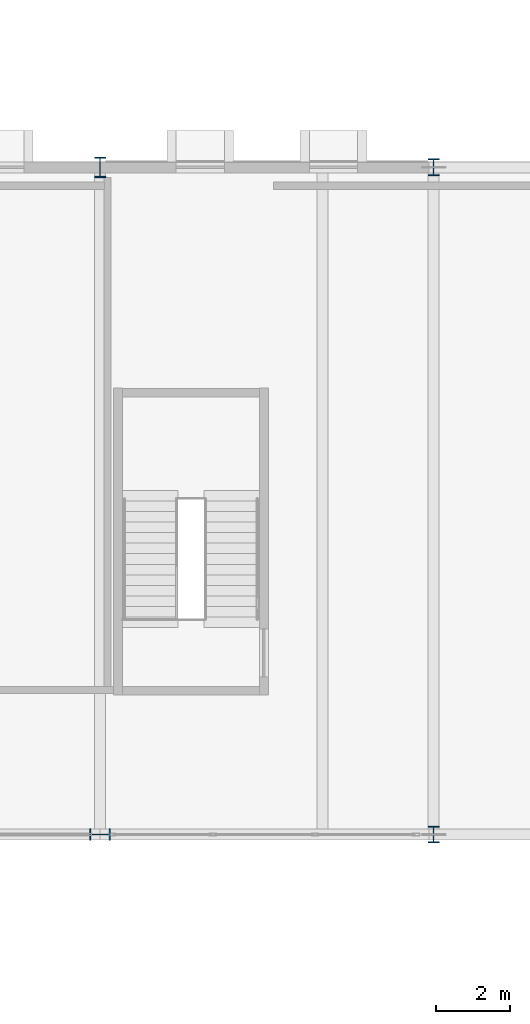
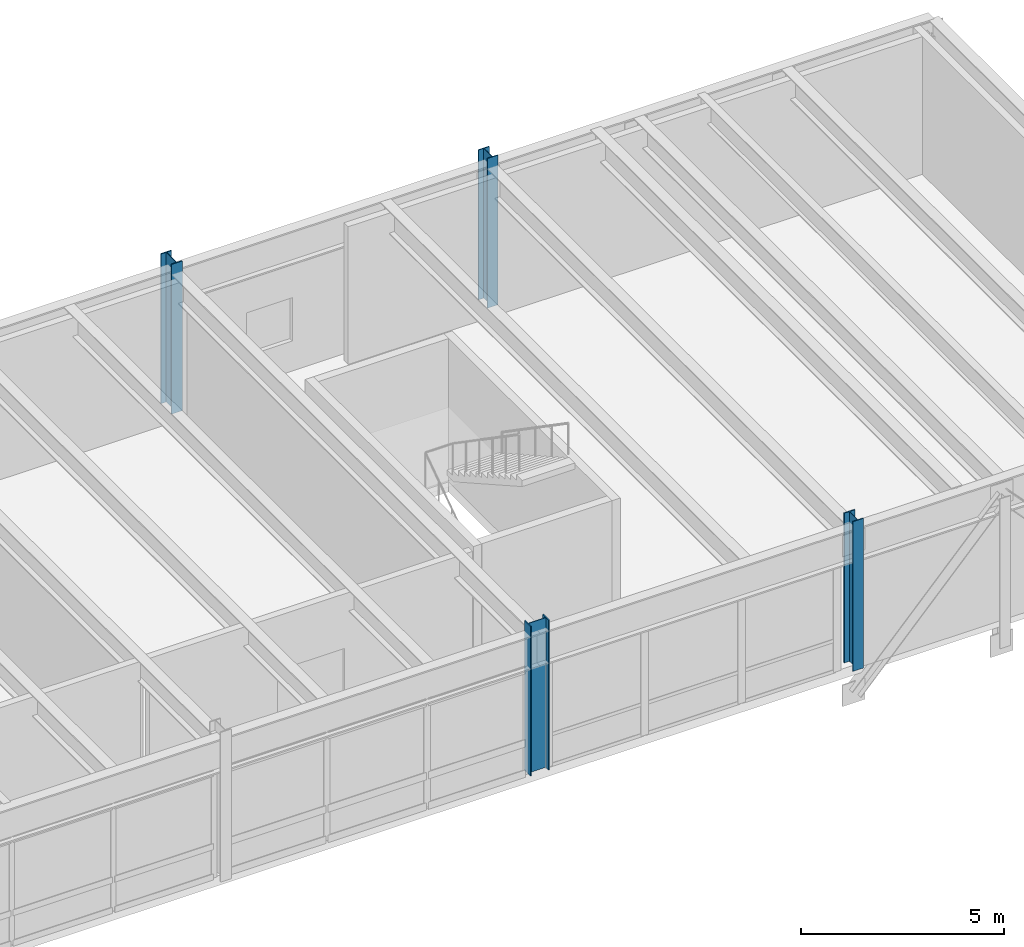
# One storey, part 9 of 142: 4 columns.
"""IFC4 building model written with IfcOpenShell, lengths in metres."""

from ifc_helpers import new_model, si_unit, direction, frame, origin, origin_2d, place, context, subcontext, project, spatial, i_section, extrude, material, material_profile, profile_set, type_object, element, save


model = new_model("IFC4")

# Units and contexts
model_context = context("Model", 3, precision=1e-05, world=origin(), true_north=direction((0.0, 1.0)))
body_context = subcontext(model_context, "Body", "Model", "MODEL_VIEW")
ifc_project = project(units=[si_unit("LENGTHUNIT", "METRE"), si_unit("AREAUNIT", "SQUARE_METRE"), si_unit("VOLUMEUNIT", "CUBIC_METRE"), si_unit("PLANEANGLEUNIT", "RADIAN"), si_unit("MASSUNIT", "GRAM", prefix="KILO")], contexts=[model_context])

# Site, building, storey
site_placement = place(None, origin())
site = spatial("IfcSite", under=ifc_project, at=site_placement, CompositionType="ELEMENT")
building_placement = place(site_placement, origin())
building = spatial("IfcBuilding", under=site, at=building_placement, Name="Montelvaro Courts of Justice", CompositionType="ELEMENT")
storey_placement = place(building_placement, frame((0.0, 0.0, 14.39990234375)))
storey = spatial("IfcBuildingStorey", under=building, at=storey_placement, Name="L03", CompositionType="ELEMENT", Elevation=14.39990234375)

# Columns
ifc_material = material(Name="Steel S355", Category="steel")
ifc_material_profile_1 = material_profile(ifc_material, i_section(OverallWidth=0.300048828125, OverallDepth=0.449951171875, WebThickness=0.013916015625, FlangeThickness=0.02587890625, at=origin_2d()), Name="HEB 450")
ifc_profile_set_1 = profile_set([ifc_material_profile_1], Name="Steel S355")
column_type_1 = type_object("IfcColumnType", Name="Col_HEB450", PredefinedType="COLUMN", material=ifc_profile_set_1)
for number, where, z_axis, x_axis, name in (
    (1, (162.0, 78.0, 0.0), (0.0, 0.0, 1.0), (1.0, 0.0, 0.0), "Column C-08 L03 19/G"),
    (2, (162.0, 96.0, 0.0), (0.0, 0.0, 1.0), (1.0, 0.0, 0.0), "Column C-08 L03 19/H"),
):
    element("IfcColumn", number, at=place(storey_placement, frame(where, z_axis=z_axis, x_axis=x_axis)), inside=storey, type_object=column_type_1, Name=name, PredefinedType="COLUMN", context=body_context, shape_type="SweptSolid", body=[
        extrude(i_section(OverallWidth=0.300048828125, OverallDepth=0.449951171875, WebThickness=0.013916015625, FlangeThickness=0.02587890625, at=origin_2d()), origin(), (0.0, 0.0, 1.0), 4.5),
    ])
ifc_material_profile_2 = material_profile(ifc_material, i_section(OverallWidth=0.300048828125, OverallDepth=0.550048828125, WebThickness=0.014892578125, FlangeThickness=0.029052734375, at=origin_2d()), Name="HEB 550")
ifc_profile_set_2 = profile_set([ifc_material_profile_2], Name="Steel S355")
column_type_2 = type_object("IfcColumnType", Name="Col_HEB550", PredefinedType="COLUMN", material=ifc_profile_set_2)
for number, where, z_axis, x_axis, name in (
    (3, (153.0, 78.0, 0.0), (0.0, 0.0, 1.0), (0.0, 1.0, 0.0), "Column C-10 L03 18/G"),
    (4, (153.0, 96.0, 0.0), (0.0, 0.0, 1.0), (1.0, 0.0, 0.0), "Column C-10 L03 18/H"),
):
    element("IfcColumn", number, at=place(storey_placement, frame(where, z_axis=z_axis, x_axis=x_axis)), inside=storey, type_object=column_type_2, Name=name, PredefinedType="COLUMN", context=body_context, shape_type="SweptSolid", body=[
        extrude(i_section(OverallWidth=0.300048828125, OverallDepth=0.550048828125, WebThickness=0.014892578125, FlangeThickness=0.029052734375, at=origin_2d()), origin(), (0.0, 0.0, 1.0), 4.5),
    ])

save(model, "model.ifc")
